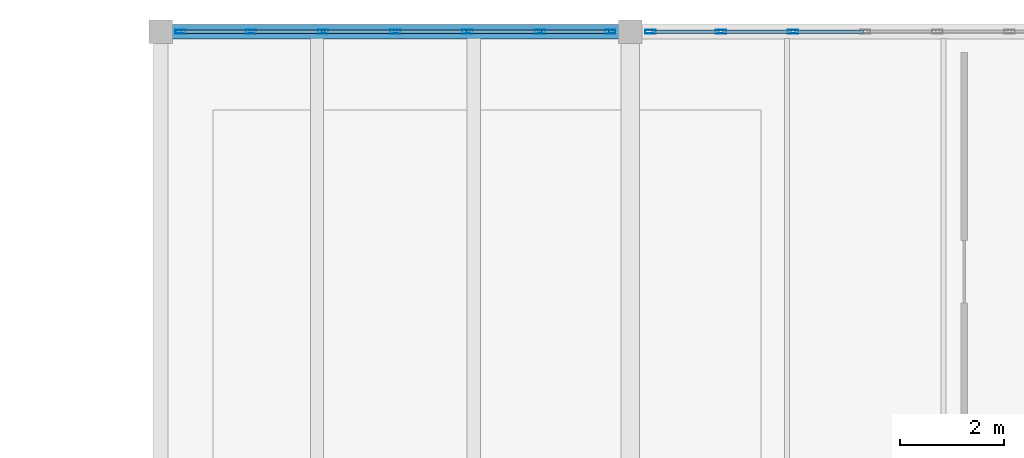
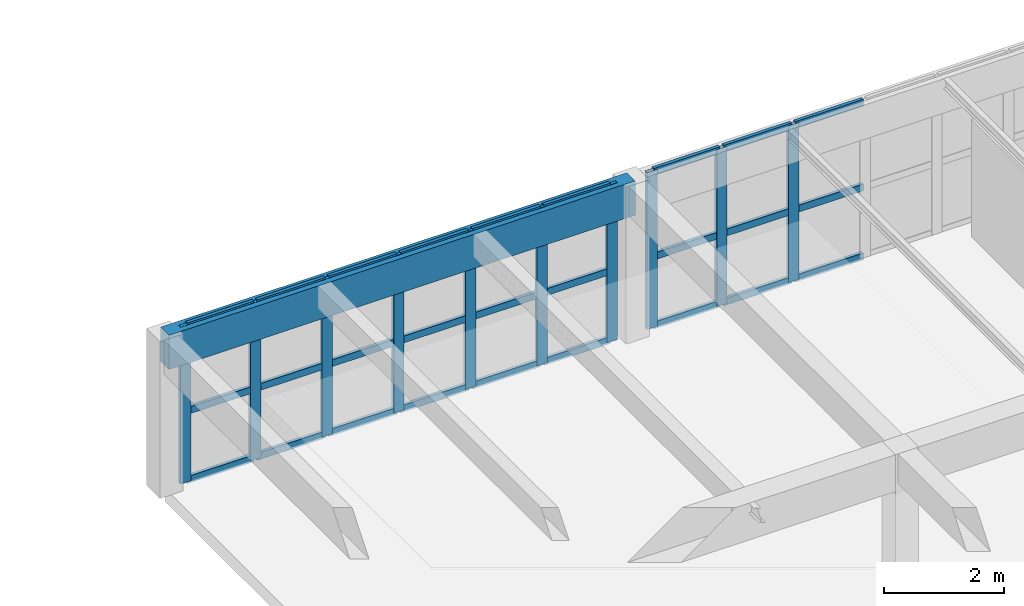
# One storey, part 52 of 80: 37 members, 1 beam, 2 elements without a shape of their own.
"""IFC4 building model written with IfcOpenShell, lengths in metres."""

from ifc_helpers import new_model, si_unit, direction, frame, origin, origin_2d, place, context, subcontext, project, spatial, rectangle, hollow_rectangle, extrude, material, layer, layer_set, material_profile, profile_set, type_object, element, aggregate, save


model = new_model("IFC4")

# Units and contexts
model_context = context("Model", 3, precision=1e-05, world=origin(), true_north=direction((0.0, 1.0)))
body_context = subcontext(model_context, "Body", "Model", "MODEL_VIEW")
ifc_project = project(units=[si_unit("LENGTHUNIT", "METRE"), si_unit("AREAUNIT", "SQUARE_METRE"), si_unit("VOLUMEUNIT", "CUBIC_METRE"), si_unit("PLANEANGLEUNIT", "RADIAN"), si_unit("MASSUNIT", "GRAM", prefix="KILO")], contexts=[model_context])

# Site, building, storey
site_placement = place(None, origin())
site = spatial("IfcSite", under=ifc_project, at=site_placement, CompositionType="ELEMENT")
building_placement = place(site_placement, origin())
building = spatial("IfcBuilding", under=site, at=building_placement, Name="Ornek Quay Market", CompositionType="ELEMENT")
storey_placement = place(building_placement, frame((0.0, 0.0, 8.39990234375)))
storey = spatial("IfcBuildingStorey", under=building, at=storey_placement, Name="L02", CompositionType="ELEMENT", Elevation=8.39990234375)

# Beam
ifc_material_1 = material(Name="Concrete C35/45", Category="concrete")
ifc_material_profile_1 = material_profile(ifc_material_1, rectangle(XDim=0.280029296875, YDim=0.699951171875, at=origin_2d()), Name="RC 280x700", Category="concrete")
ifc_profile_set_1 = profile_set([ifc_material_profile_1], Name="Concrete C35/45")
beam_type = type_object("IfcBeamType", Name="BM-SPN-280x700", PredefinedType="SPANDREL", material=ifc_profile_set_1)
beam_placement = place(storey_placement, frame((153.0, 110.0, 2.85009765625), z_axis=(1.0, 0.0, 0.0), x_axis=(0.0, 1.0, 0.0)))
element("IfcBeam", 1, at=beam_placement, inside=storey, type_object=beam_type, Name="Primary beam B-SP2-090", PredefinedType="SPANDREL", context=body_context, shape_type="SweptSolid", body=[
    extrude(rectangle(XDim=0.280029296875, YDim=0.699951171875, at=origin_2d()), origin(), (0.0, 0.0, 1.0), 9.0),
])

# Curtain wall, members
ifc_material_2 = material(Name="Anodised bronze aluminium and triple low-e glass", Category="aluminium")
ifc_layer = layer(ifc_material_2, 0.18994140625, Name="Anodised bronze aluminium and triple low-e glass", Category="aluminium")
ifc_layer_set = layer_set([ifc_layer], Name="Anodised bronze aluminium and triple low-e glass")
curtain_wall_type = type_object("IfcCurtainWallType", Name="CW-FC-MOD1500", PredefinedType="USERDEFINED", material=ifc_layer_set)
curtain_wall_1_placement = place(storey_placement, origin())
curtain_wall_1 = element("IfcCurtainWall", 2, at=curtain_wall_1_placement, inside=storey, type_object=curtain_wall_type, Name="Curtain wall CW-088", ObjectType="CURTAIN WALL", PredefinedType="USERDEFINED")
ifc_material_3 = material(Name="Anodised aluminium 6063-T6", Category="aluminium")
ifc_material_profile_2 = material_profile(ifc_material_3, hollow_rectangle(XDim=0.070068359375, YDim=0.199951171875, WallThickness=0.0048828125, at=origin_2d()), Name="CW-MUL-70x200", Category="aluminium")
ifc_profile_set_2 = profile_set([ifc_material_profile_2], Name="Anodised aluminium 6063-T6")
member_type_1 = type_object("IfcMemberType", Name="CW-MUL-70x200", PredefinedType="MULLION", material=ifc_profile_set_2)
member_1_placement = place(storey_placement, frame((153.385009765625, 110.0, 0.0), z_axis=(0.0, 0.0, 1.0), x_axis=(0.0, 1.0, 0.0)))
member_1 = element("IfcMember", 3, at=member_1_placement, type_object=member_type_1, Name="CW-088 mullion 1", PredefinedType="MULLION", context=body_context, shape_type="SweptSolid", body=[
    extrude(hollow_rectangle(XDim=0.070068359375, YDim=0.199951171875, WallThickness=0.0048828125, at=origin_2d()), origin(), (0.0, 0.0, 1.0), 3.2001953125),
])
member_2_placement = place(storey_placement, frame((154.7333984375, 110.0, 0.0), z_axis=(0.0, 0.0, 1.0), x_axis=(0.0, 1.0, 0.0)))
member_2 = element("IfcMember", 4, at=member_2_placement, type_object=member_type_1, Name="CW-088 mullion 2", PredefinedType="MULLION", context=body_context, shape_type="SweptSolid", body=[
    extrude(hollow_rectangle(XDim=0.070068359375, YDim=0.199951171875, WallThickness=0.0048828125, at=origin_2d()), origin(), (0.0, 0.0, 1.0), 3.2001953125),
])
member_3_placement = place(storey_placement, frame((156.11669921875, 110.0, 0.0), z_axis=(0.0, 0.0, 1.0), x_axis=(0.0, 1.0, 0.0)))
member_3 = element("IfcMember", 5, at=member_3_placement, type_object=member_type_1, Name="CW-088 mullion 3", PredefinedType="MULLION", context=body_context, shape_type="SweptSolid", body=[
    extrude(hollow_rectangle(XDim=0.070068359375, YDim=0.199951171875, WallThickness=0.0048828125, at=origin_2d()), origin(), (0.0, 0.0, 1.0), 3.2001953125),
])
member_4_placement = place(storey_placement, frame((157.5, 110.0, 0.0), z_axis=(0.0, 0.0, 1.0), x_axis=(0.0, 1.0, 0.0)))
member_4 = element("IfcMember", 6, at=member_4_placement, type_object=member_type_1, Name="CW-088 mullion 4", PredefinedType="MULLION", context=body_context, shape_type="SweptSolid", body=[
    extrude(hollow_rectangle(XDim=0.070068359375, YDim=0.199951171875, WallThickness=0.0048828125, at=origin_2d()), origin(), (0.0, 0.0, 1.0), 3.2001953125),
])
member_5_placement = place(storey_placement, frame((158.88330078125, 110.0, 0.0), z_axis=(0.0, 0.0, 1.0), x_axis=(0.0, 1.0, 0.0)))
member_5 = element("IfcMember", 7, at=member_5_placement, type_object=member_type_1, Name="CW-088 mullion 5", PredefinedType="MULLION", context=body_context, shape_type="SweptSolid", body=[
    extrude(hollow_rectangle(XDim=0.070068359375, YDim=0.199951171875, WallThickness=0.0048828125, at=origin_2d()), origin(), (0.0, 0.0, 1.0), 3.2001953125),
])
member_6_placement = place(storey_placement, frame((160.2666015625, 110.0, 0.0), z_axis=(0.0, 0.0, 1.0), x_axis=(0.0, 1.0, 0.0)))
member_6 = element("IfcMember", 8, at=member_6_placement, type_object=member_type_1, Name="CW-088 mullion 6", PredefinedType="MULLION", context=body_context, shape_type="SweptSolid", body=[
    extrude(hollow_rectangle(XDim=0.070068359375, YDim=0.199951171875, WallThickness=0.0048828125, at=origin_2d()), origin(), (0.0, 0.0, 1.0), 3.2001953125),
])
member_7_placement = place(storey_placement, frame((161.614990234375, 110.0, 0.0), z_axis=(0.0, 0.0, 1.0), x_axis=(0.0, 1.0, 0.0)))
member_7 = element("IfcMember", 9, at=member_7_placement, type_object=member_type_1, Name="CW-088 mullion 7", PredefinedType="MULLION", context=body_context, shape_type="SweptSolid", body=[
    extrude(hollow_rectangle(XDim=0.070068359375, YDim=0.199951171875, WallThickness=0.0048828125, at=origin_2d()), origin(), (0.0, 0.0, 1.0), 3.2001953125),
])

curtain_wall_2_placement = place(storey_placement, origin())
curtain_wall_2 = element("IfcCurtainWall", 10, at=curtain_wall_2_placement, inside=storey, type_object=curtain_wall_type, Name="Curtain wall CW-089", ObjectType="CURTAIN WALL", PredefinedType="USERDEFINED")
member_8_placement = place(storey_placement, frame((162.385009765625, 110.0, 0.0), z_axis=(0.0, 0.0, 1.0), x_axis=(0.0, 1.0, 0.0)))
member_8 = element("IfcMember", 11, at=member_8_placement, type_object=member_type_1, Name="CW-089 mullion 1", PredefinedType="MULLION", context=body_context, shape_type="SweptSolid", body=[
    extrude(hollow_rectangle(XDim=0.070068359375, YDim=0.199951171875, WallThickness=0.0048828125, at=origin_2d()), origin(), (0.0, 0.0, 1.0), 3.2001953125),
])
member_9_placement = place(storey_placement, frame((163.7333984375, 110.0, 0.0), z_axis=(0.0, 0.0, 1.0), x_axis=(0.0, 1.0, 0.0)))
member_9 = element("IfcMember", 12, at=member_9_placement, type_object=member_type_1, Name="CW-089 mullion 2", PredefinedType="MULLION", context=body_context, shape_type="SweptSolid", body=[
    extrude(hollow_rectangle(XDim=0.070068359375, YDim=0.199951171875, WallThickness=0.0048828125, at=origin_2d()), origin(), (0.0, 0.0, 1.0), 3.2001953125),
])
member_10_placement = place(storey_placement, frame((165.11669921875, 110.0, 0.0), z_axis=(0.0, 0.0, 1.0), x_axis=(0.0, 1.0, 0.0)))
member_10 = element("IfcMember", 13, at=member_10_placement, type_object=member_type_1, Name="CW-089 mullion 3", PredefinedType="MULLION", context=body_context, shape_type="SweptSolid", body=[
    extrude(hollow_rectangle(XDim=0.070068359375, YDim=0.199951171875, WallThickness=0.0048828125, at=origin_2d()), origin(), (0.0, 0.0, 1.0), 3.2001953125),
])

# Member
ifc_material_profile_3 = material_profile(ifc_material_3, hollow_rectangle(XDim=0.06494140625, YDim=0.139892578125, WallThickness=0.00439453125, at=origin_2d()), Name="CW-TRN-65x140", Category="aluminium")
ifc_profile_set_3 = profile_set([ifc_material_profile_3], Name="Anodised aluminium 6063-T6")
member_type_2 = type_object("IfcMemberType", Name="CW-TRN-65x140", PredefinedType="USERDEFINED", material=ifc_profile_set_3)
member_11_placement = place(storey_placement, frame((153.419921875, 110.0, 0.03271484375), z_axis=(1.0, 0.0, 0.0), x_axis=(0.0, 1.0, 0.0)))
member_11 = element("IfcMember", 14, at=member_11_placement, type_object=member_type_2, Name="CW-088 transom 1.1", ObjectType="TRANSOM", PredefinedType="USERDEFINED", context=body_context, shape_type="SweptSolid", body=[
    extrude(hollow_rectangle(XDim=0.06494140625, YDim=0.139892578125, WallThickness=0.00439453125, at=origin_2d()), origin(), (0.0, 0.0, 1.0), 1.2783203125),
])

member_12_placement = place(storey_placement, frame((153.419921875, 110.0, 1.440185546875), z_axis=(1.0, 0.0, 0.0), x_axis=(0.0, 1.0, 0.0)))
member_12 = element("IfcMember", 15, at=member_12_placement, type_object=member_type_2, Name="CW-088 transom 1.2", ObjectType="TRANSOM", PredefinedType="USERDEFINED", context=body_context, shape_type="SweptSolid", body=[
    extrude(hollow_rectangle(XDim=0.06494140625, YDim=0.139892578125, WallThickness=0.00439453125, at=origin_2d()), origin(), (0.0, 0.0, 1.0), 1.2783203125),
])

member_13_placement = place(storey_placement, frame((153.419921875, 110.0, 3.16748046875), z_axis=(1.0, 0.0, 0.0), x_axis=(0.0, 1.0, 0.0)))
member_13 = element("IfcMember", 16, at=member_13_placement, type_object=member_type_2, Name="CW-088 transom 1.3", ObjectType="TRANSOM", PredefinedType="USERDEFINED", context=body_context, shape_type="SweptSolid", body=[
    extrude(hollow_rectangle(XDim=0.06494140625, YDim=0.139892578125, WallThickness=0.00439453125, at=origin_2d()), origin(), (0.0, 0.0, 1.0), 1.2783203125),
])

member_14_placement = place(storey_placement, frame((154.768310546875, 110.0, 0.03271484375), z_axis=(1.0, 0.0, 0.0), x_axis=(0.0, 1.0, 0.0)))
member_14 = element("IfcMember", 17, at=member_14_placement, type_object=member_type_2, Name="CW-088 transom 2.1", ObjectType="TRANSOM", PredefinedType="USERDEFINED", context=body_context, shape_type="SweptSolid", body=[
    extrude(hollow_rectangle(XDim=0.06494140625, YDim=0.139892578125, WallThickness=0.00439453125, at=origin_2d()), origin(), (0.0, 0.0, 1.0), 1.3134765625),
])

member_15_placement = place(storey_placement, frame((154.768310546875, 110.0, 1.440185546875), z_axis=(1.0, 0.0, 0.0), x_axis=(0.0, 1.0, 0.0)))
member_15 = element("IfcMember", 18, at=member_15_placement, type_object=member_type_2, Name="CW-088 transom 2.2", ObjectType="TRANSOM", PredefinedType="USERDEFINED", context=body_context, shape_type="SweptSolid", body=[
    extrude(hollow_rectangle(XDim=0.06494140625, YDim=0.139892578125, WallThickness=0.00439453125, at=origin_2d()), origin(), (0.0, 0.0, 1.0), 1.3134765625),
])

member_16_placement = place(storey_placement, frame((154.768310546875, 110.0, 3.16748046875), z_axis=(1.0, 0.0, 0.0), x_axis=(0.0, 1.0, 0.0)))
member_16 = element("IfcMember", 19, at=member_16_placement, type_object=member_type_2, Name="CW-088 transom 2.3", ObjectType="TRANSOM", PredefinedType="USERDEFINED", context=body_context, shape_type="SweptSolid", body=[
    extrude(hollow_rectangle(XDim=0.06494140625, YDim=0.139892578125, WallThickness=0.00439453125, at=origin_2d()), origin(), (0.0, 0.0, 1.0), 1.3134765625),
])

member_17_placement = place(storey_placement, frame((156.151611328125, 110.0, 0.03271484375), z_axis=(1.0, 0.0, 0.0), x_axis=(0.0, 1.0, 0.0)))
member_17 = element("IfcMember", 20, at=member_17_placement, type_object=member_type_2, Name="CW-088 transom 3.1", ObjectType="TRANSOM", PredefinedType="USERDEFINED", context=body_context, shape_type="SweptSolid", body=[
    extrude(hollow_rectangle(XDim=0.06494140625, YDim=0.139892578125, WallThickness=0.00439453125, at=origin_2d()), origin(), (0.0, 0.0, 1.0), 1.3134765625),
])

member_18_placement = place(storey_placement, frame((156.151611328125, 110.0, 1.440185546875), z_axis=(1.0, 0.0, 0.0), x_axis=(0.0, 1.0, 0.0)))
member_18 = element("IfcMember", 21, at=member_18_placement, type_object=member_type_2, Name="CW-088 transom 3.2", ObjectType="TRANSOM", PredefinedType="USERDEFINED", context=body_context, shape_type="SweptSolid", body=[
    extrude(hollow_rectangle(XDim=0.06494140625, YDim=0.139892578125, WallThickness=0.00439453125, at=origin_2d()), origin(), (0.0, 0.0, 1.0), 1.3134765625),
])

member_19_placement = place(storey_placement, frame((156.151611328125, 110.0, 3.16748046875), z_axis=(1.0, 0.0, 0.0), x_axis=(0.0, 1.0, 0.0)))
member_19 = element("IfcMember", 22, at=member_19_placement, type_object=member_type_2, Name="CW-088 transom 3.3", ObjectType="TRANSOM", PredefinedType="USERDEFINED", context=body_context, shape_type="SweptSolid", body=[
    extrude(hollow_rectangle(XDim=0.06494140625, YDim=0.139892578125, WallThickness=0.00439453125, at=origin_2d()), origin(), (0.0, 0.0, 1.0), 1.3134765625),
])

member_20_placement = place(storey_placement, frame((157.534912109375, 110.0, 0.03271484375), z_axis=(1.0, 0.0, 0.0), x_axis=(0.0, 1.0, 0.0)))
member_20 = element("IfcMember", 23, at=member_20_placement, type_object=member_type_2, Name="CW-088 transom 4.1", ObjectType="TRANSOM", PredefinedType="USERDEFINED", context=body_context, shape_type="SweptSolid", body=[
    extrude(hollow_rectangle(XDim=0.06494140625, YDim=0.139892578125, WallThickness=0.00439453125, at=origin_2d()), origin(), (0.0, 0.0, 1.0), 1.3134765625),
])

member_21_placement = place(storey_placement, frame((157.534912109375, 110.0, 1.440185546875), z_axis=(1.0, 0.0, 0.0), x_axis=(0.0, 1.0, 0.0)))
member_21 = element("IfcMember", 24, at=member_21_placement, type_object=member_type_2, Name="CW-088 transom 4.2", ObjectType="TRANSOM", PredefinedType="USERDEFINED", context=body_context, shape_type="SweptSolid", body=[
    extrude(hollow_rectangle(XDim=0.06494140625, YDim=0.139892578125, WallThickness=0.00439453125, at=origin_2d()), origin(), (0.0, 0.0, 1.0), 1.3134765625),
])

member_22_placement = place(storey_placement, frame((157.534912109375, 110.0, 3.16748046875), z_axis=(1.0, 0.0, 0.0), x_axis=(0.0, 1.0, 0.0)))
member_22 = element("IfcMember", 25, at=member_22_placement, type_object=member_type_2, Name="CW-088 transom 4.3", ObjectType="TRANSOM", PredefinedType="USERDEFINED", context=body_context, shape_type="SweptSolid", body=[
    extrude(hollow_rectangle(XDim=0.06494140625, YDim=0.139892578125, WallThickness=0.00439453125, at=origin_2d()), origin(), (0.0, 0.0, 1.0), 1.3134765625),
])

member_23_placement = place(storey_placement, frame((158.918212890625, 110.0, 0.03271484375), z_axis=(1.0, 0.0, 0.0), x_axis=(0.0, 1.0, 0.0)))
member_23 = element("IfcMember", 26, at=member_23_placement, type_object=member_type_2, Name="CW-088 transom 5.1", ObjectType="TRANSOM", PredefinedType="USERDEFINED", context=body_context, shape_type="SweptSolid", body=[
    extrude(hollow_rectangle(XDim=0.06494140625, YDim=0.139892578125, WallThickness=0.00439453125, at=origin_2d()), origin(), (0.0, 0.0, 1.0), 1.3134765625),
])

member_24_placement = place(storey_placement, frame((158.918212890625, 110.0, 1.440185546875), z_axis=(1.0, 0.0, 0.0), x_axis=(0.0, 1.0, 0.0)))
member_24 = element("IfcMember", 27, at=member_24_placement, type_object=member_type_2, Name="CW-088 transom 5.2", ObjectType="TRANSOM", PredefinedType="USERDEFINED", context=body_context, shape_type="SweptSolid", body=[
    extrude(hollow_rectangle(XDim=0.06494140625, YDim=0.139892578125, WallThickness=0.00439453125, at=origin_2d()), origin(), (0.0, 0.0, 1.0), 1.3134765625),
])

member_25_placement = place(storey_placement, frame((158.918212890625, 110.0, 3.16748046875), z_axis=(1.0, 0.0, 0.0), x_axis=(0.0, 1.0, 0.0)))
member_25 = element("IfcMember", 28, at=member_25_placement, type_object=member_type_2, Name="CW-088 transom 5.3", ObjectType="TRANSOM", PredefinedType="USERDEFINED", context=body_context, shape_type="SweptSolid", body=[
    extrude(hollow_rectangle(XDim=0.06494140625, YDim=0.139892578125, WallThickness=0.00439453125, at=origin_2d()), origin(), (0.0, 0.0, 1.0), 1.3134765625),
])

member_26_placement = place(storey_placement, frame((160.3017578125, 110.0, 0.03271484375), z_axis=(1.0, 0.0, 0.0), x_axis=(0.0, 1.0, 0.0)))
member_26 = element("IfcMember", 29, at=member_26_placement, type_object=member_type_2, Name="CW-088 transom 6.1", ObjectType="TRANSOM", PredefinedType="USERDEFINED", context=body_context, shape_type="SweptSolid", body=[
    extrude(hollow_rectangle(XDim=0.06494140625, YDim=0.139892578125, WallThickness=0.00439453125, at=origin_2d()), origin(), (0.0, 0.0, 1.0), 1.2783203125),
])

member_27_placement = place(storey_placement, frame((160.3017578125, 110.0, 1.440185546875), z_axis=(1.0, 0.0, 0.0), x_axis=(0.0, 1.0, 0.0)))
member_27 = element("IfcMember", 30, at=member_27_placement, type_object=member_type_2, Name="CW-088 transom 6.2", ObjectType="TRANSOM", PredefinedType="USERDEFINED", context=body_context, shape_type="SweptSolid", body=[
    extrude(hollow_rectangle(XDim=0.06494140625, YDim=0.139892578125, WallThickness=0.00439453125, at=origin_2d()), origin(), (0.0, 0.0, 1.0), 1.2783203125),
])

member_28_placement = place(storey_placement, frame((160.3017578125, 110.0, 3.16748046875), z_axis=(1.0, 0.0, 0.0), x_axis=(0.0, 1.0, 0.0)))
member_28 = element("IfcMember", 31, at=member_28_placement, type_object=member_type_2, Name="CW-088 transom 6.3", ObjectType="TRANSOM", PredefinedType="USERDEFINED", context=body_context, shape_type="SweptSolid", body=[
    extrude(hollow_rectangle(XDim=0.06494140625, YDim=0.139892578125, WallThickness=0.00439453125, at=origin_2d()), origin(), (0.0, 0.0, 1.0), 1.2783203125),
])

aggregate(curtain_wall_1, [member_1, member_2, member_3, member_4, member_5, member_6, member_7, member_11, member_12, member_13, member_14, member_15, member_16, member_17, member_18, member_19, member_20, member_21, member_22, member_23, member_24, member_25, member_26, member_27, member_28])

member_29_placement = place(storey_placement, frame((162.419921875, 110.0, 0.03271484375), z_axis=(1.0, 0.0, 0.0), x_axis=(0.0, 1.0, 0.0)))
member_29 = element("IfcMember", 32, at=member_29_placement, type_object=member_type_2, Name="CW-089 transom 1.1", ObjectType="TRANSOM", PredefinedType="USERDEFINED", context=body_context, shape_type="SweptSolid", body=[
    extrude(hollow_rectangle(XDim=0.06494140625, YDim=0.139892578125, WallThickness=0.00439453125, at=origin_2d()), origin(), (0.0, 0.0, 1.0), 1.2783203125),
])

member_30_placement = place(storey_placement, frame((162.419921875, 110.0, 1.440185546875), z_axis=(1.0, 0.0, 0.0), x_axis=(0.0, 1.0, 0.0)))
member_30 = element("IfcMember", 33, at=member_30_placement, type_object=member_type_2, Name="CW-089 transom 1.2", ObjectType="TRANSOM", PredefinedType="USERDEFINED", context=body_context, shape_type="SweptSolid", body=[
    extrude(hollow_rectangle(XDim=0.06494140625, YDim=0.139892578125, WallThickness=0.00439453125, at=origin_2d()), origin(), (0.0, 0.0, 1.0), 1.2783203125),
])

member_31_placement = place(storey_placement, frame((162.419921875, 110.0, 3.16748046875), z_axis=(1.0, 0.0, 0.0), x_axis=(0.0, 1.0, 0.0)))
member_31 = element("IfcMember", 34, at=member_31_placement, type_object=member_type_2, Name="CW-089 transom 1.3", ObjectType="TRANSOM", PredefinedType="USERDEFINED", context=body_context, shape_type="SweptSolid", body=[
    extrude(hollow_rectangle(XDim=0.06494140625, YDim=0.139892578125, WallThickness=0.00439453125, at=origin_2d()), origin(), (0.0, 0.0, 1.0), 1.2783203125),
])

member_32_placement = place(storey_placement, frame((163.768310546875, 110.0, 0.03271484375), z_axis=(1.0, 0.0, 0.0), x_axis=(0.0, 1.0, 0.0)))
member_32 = element("IfcMember", 35, at=member_32_placement, type_object=member_type_2, Name="CW-089 transom 2.1", ObjectType="TRANSOM", PredefinedType="USERDEFINED", context=body_context, shape_type="SweptSolid", body=[
    extrude(hollow_rectangle(XDim=0.06494140625, YDim=0.139892578125, WallThickness=0.00439453125, at=origin_2d()), origin(), (0.0, 0.0, 1.0), 1.3134765625),
])

member_33_placement = place(storey_placement, frame((163.768310546875, 110.0, 1.440185546875), z_axis=(1.0, 0.0, 0.0), x_axis=(0.0, 1.0, 0.0)))
member_33 = element("IfcMember", 36, at=member_33_placement, type_object=member_type_2, Name="CW-089 transom 2.2", ObjectType="TRANSOM", PredefinedType="USERDEFINED", context=body_context, shape_type="SweptSolid", body=[
    extrude(hollow_rectangle(XDim=0.06494140625, YDim=0.139892578125, WallThickness=0.00439453125, at=origin_2d()), origin(), (0.0, 0.0, 1.0), 1.3134765625),
])

member_34_placement = place(storey_placement, frame((163.768310546875, 110.0, 3.16748046875), z_axis=(1.0, 0.0, 0.0), x_axis=(0.0, 1.0, 0.0)))
member_34 = element("IfcMember", 37, at=member_34_placement, type_object=member_type_2, Name="CW-089 transom 2.3", ObjectType="TRANSOM", PredefinedType="USERDEFINED", context=body_context, shape_type="SweptSolid", body=[
    extrude(hollow_rectangle(XDim=0.06494140625, YDim=0.139892578125, WallThickness=0.00439453125, at=origin_2d()), origin(), (0.0, 0.0, 1.0), 1.3134765625),
])

member_35_placement = place(storey_placement, frame((165.151611328125, 110.0, 0.03271484375), z_axis=(1.0, 0.0, 0.0), x_axis=(0.0, 1.0, 0.0)))
member_35 = element("IfcMember", 38, at=member_35_placement, type_object=member_type_2, Name="CW-089 transom 3.1", ObjectType="TRANSOM", PredefinedType="USERDEFINED", context=body_context, shape_type="SweptSolid", body=[
    extrude(hollow_rectangle(XDim=0.06494140625, YDim=0.139892578125, WallThickness=0.00439453125, at=origin_2d()), origin(), (0.0, 0.0, 1.0), 1.3134765625),
])

member_36_placement = place(storey_placement, frame((165.151611328125, 110.0, 1.440185546875), z_axis=(1.0, 0.0, 0.0), x_axis=(0.0, 1.0, 0.0)))
member_36 = element("IfcMember", 39, at=member_36_placement, type_object=member_type_2, Name="CW-089 transom 3.2", ObjectType="TRANSOM", PredefinedType="USERDEFINED", context=body_context, shape_type="SweptSolid", body=[
    extrude(hollow_rectangle(XDim=0.06494140625, YDim=0.139892578125, WallThickness=0.00439453125, at=origin_2d()), origin(), (0.0, 0.0, 1.0), 1.3134765625),
])

member_37_placement = place(storey_placement, frame((165.151611328125, 110.0, 3.16748046875), z_axis=(1.0, 0.0, 0.0), x_axis=(0.0, 1.0, 0.0)))
member_37 = element("IfcMember", 40, at=member_37_placement, type_object=member_type_2, Name="CW-089 transom 3.3", ObjectType="TRANSOM", PredefinedType="USERDEFINED", context=body_context, shape_type="SweptSolid", body=[
    extrude(hollow_rectangle(XDim=0.06494140625, YDim=0.139892578125, WallThickness=0.00439453125, at=origin_2d()), origin(), (0.0, 0.0, 1.0), 1.3134765625),
])

aggregate(curtain_wall_2, [member_8, member_9, member_10, member_29, member_30, member_31, member_32, member_33, member_34, member_35, member_36, member_37])

save(model, "model.ifc")
